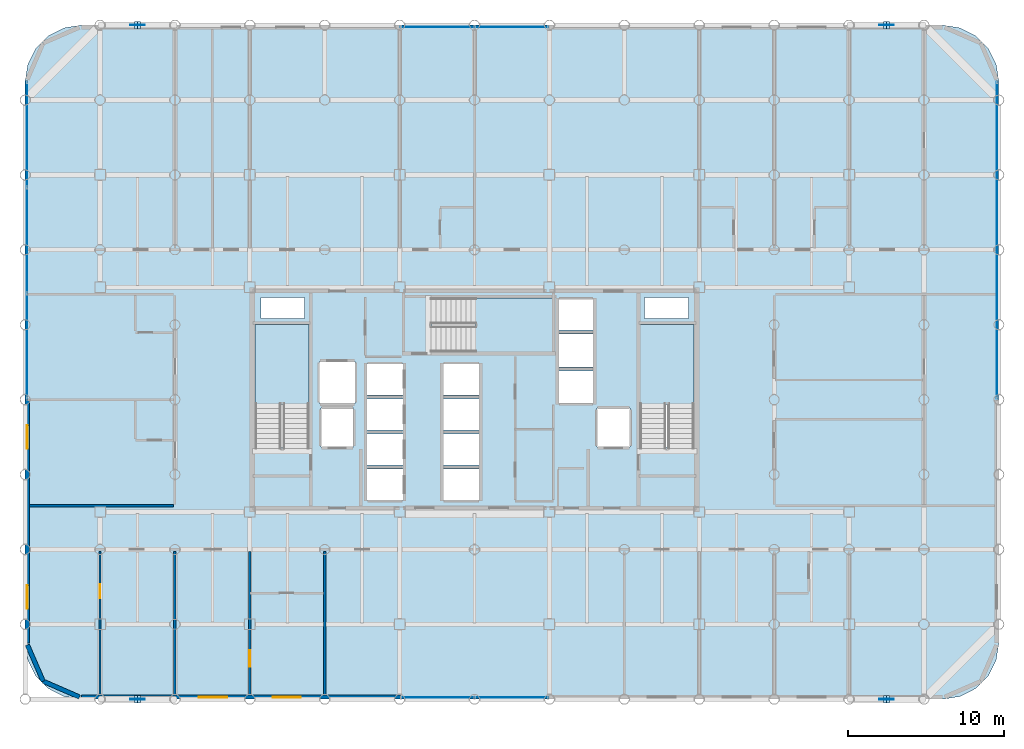
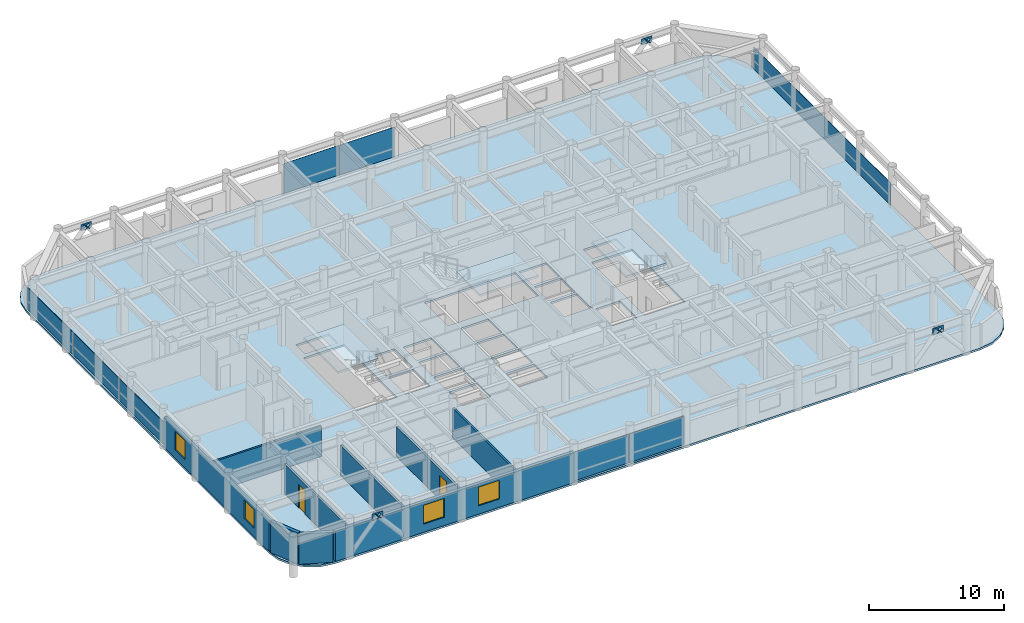
# One storey, part 15 of 20: 20 plates, 9 walls, 4 slabs, 4 windows, 2 doors, 6 openings, 7 elements without a shape of their own.
"""IFC4 building model written with IfcOpenShell, lengths in metres."""

from ifc_helpers import new_model, si_unit, direction, frame, frame_2d, origin, origin_2d, place, context, subcontext, project, spatial, polyline, rectangle, outline, extrude, material, layer, layer_set, type_object, element, fill, aggregate, save


model = new_model("IFC4")

# Units and contexts
model_context = context("Model", 3, precision=1e-05, world=origin(), true_north=direction((0.0, 1.0)))
body_context = subcontext(model_context, "Body", "Model", "MODEL_VIEW")
ifc_project = project(units=[si_unit("LENGTHUNIT", "METRE"), si_unit("AREAUNIT", "SQUARE_METRE"), si_unit("VOLUMEUNIT", "CUBIC_METRE"), si_unit("PLANEANGLEUNIT", "RADIAN"), si_unit("MASSUNIT", "GRAM", prefix="KILO")], contexts=[model_context])

# Site, building, storey
site_placement = place(None, origin())
site = spatial("IfcSite", under=ifc_project, at=site_placement, CompositionType="ELEMENT")
building_placement = place(site_placement, origin())
building = spatial("IfcBuilding", under=site, at=building_placement, Name="Kallvorn Hotel Tower", CompositionType="ELEMENT")
storey_placement = place(building_placement, frame((0.0, 0.0, 98.89990234375)))
storey = spatial("IfcBuildingStorey", under=building, at=storey_placement, Name="L23", CompositionType="ELEMENT", Elevation=98.89990234375)

# Curtain wall, plates
ifc_material_1 = material(Name="Thermally broken black-anodised aluminium AA 6063-T6", Category="aluminium")
ifc_layer_1 = layer(ifc_material_1, 0.199951171875)
ifc_layer_set_1 = layer_set([ifc_layer_1], Name="CW_SYS_3_HOTEL_LOW")
curtain_wall_type = type_object("IfcCurtainWallType", Name="CW_SYS_3_HOTEL_LOW", PredefinedType="USERDEFINED", material=ifc_layer_set_1)
curtain_wall_1_placement = place(storey_placement, origin())
curtain_wall_1 = element("IfcCurtainWall", 1, at=curtain_wall_1_placement, inside=storey, type_object=curtain_wall_type, Name="L23 Dark-Glass Curtain Wall CW-L23-SC", ObjectType="UNITISED CURTAIN WALL", PredefinedType="USERDEFINED")
ifc_material_2 = material(Name="Double-glazed low-e solar-control dark glass", Category="glass")
ifc_layer_2 = layer(ifc_material_2, 0.035888671875)
ifc_layer_set_2 = layer_set([ifc_layer_2], Name="CW_SYS_3_HOTEL_LOW_PANEL")
plate_type_1 = type_object("IfcPlateType", Name="CW_SYS_3_HOTEL_LOW_PANEL", PredefinedType="CURTAIN_PANEL", material=ifc_layer_set_2)
plate_1_placement = place(storey_placement, frame((-2.375, -19.080078125, 0.06005859375), z_axis=(0.0, 0.0, 1.0), x_axis=(1.0, 0.0, 0.0)))
plate_1 = element("IfcPlate", 2, at=plate_1_placement, type_object=plate_type_1, Name="CW-L23-SC Vision Glass Panel 00", PredefinedType="CURTAIN_PANEL", context=body_context, shape_type="SweptSolid", body=[
    extrude(rectangle(XDim=4.68994140625, YDim=0.035888671875, at=origin_2d()), origin(), (0.0, 0.0, 1.0), 2.60009765625),
])
plate_2_placement = place(storey_placement, frame((2.375, -19.080078125, 0.06005859375), z_axis=(0.0, 0.0, 1.0), x_axis=(1.0, 0.0, 0.0)))
plate_2 = element("IfcPlate", 3, at=plate_2_placement, type_object=plate_type_1, Name="CW-L23-SC Vision Glass Panel 01", PredefinedType="CURTAIN_PANEL", context=body_context, shape_type="SweptSolid", body=[
    extrude(rectangle(XDim=4.68994140625, YDim=0.035888671875, at=origin_2d()), origin(), (0.0, 0.0, 1.0), 2.60009765625),
])
aggregate(curtain_wall_1, [plate_1, plate_2])

curtain_wall_2_placement = place(storey_placement, origin())
curtain_wall_2 = element("IfcCurtainWall", 4, at=curtain_wall_2_placement, inside=storey, type_object=curtain_wall_type, Name="L23 Dark-Glass Curtain Wall CW-L23-NC", ObjectType="UNITISED CURTAIN WALL", PredefinedType="USERDEFINED")
plate_3_placement = place(storey_placement, frame((-2.375, 23.8798828125, 0.06005859375), z_axis=(0.0, 0.0, 1.0), x_axis=(1.0, 0.0, 0.0)))
plate_3 = element("IfcPlate", 5, at=plate_3_placement, type_object=plate_type_1, Name="CW-L23-NC Vision Glass Panel 00", PredefinedType="CURTAIN_PANEL", context=body_context, shape_type="SweptSolid", body=[
    extrude(rectangle(XDim=4.68994140625, YDim=0.035888671875, at=origin_2d()), origin(), (0.0, 0.0, 1.0), 2.699951171875),
])
plate_4_placement = place(storey_placement, frame((2.375, 23.8798828125, 0.06005859375), z_axis=(0.0, 0.0, 1.0), x_axis=(1.0, 0.0, 0.0)))
plate_4 = element("IfcPlate", 6, at=plate_4_placement, type_object=plate_type_1, Name="CW-L23-NC Vision Glass Panel 01", PredefinedType="CURTAIN_PANEL", context=body_context, shape_type="SweptSolid", body=[
    extrude(rectangle(XDim=4.68994140625, YDim=0.035888671875, at=origin_2d()), origin(), (0.0, 0.0, 1.0), 2.699951171875),
])
aggregate(curtain_wall_2, [plate_3, plate_4])

curtain_wall_3_placement = place(storey_placement, origin())
curtain_wall_3 = element("IfcCurtainWall", 7, at=curtain_wall_3_placement, inside=storey, type_object=curtain_wall_type, Name="L23 Dark-Glass Curtain Wall CW-L23-WN", ObjectType="UNITISED CURTAIN WALL", PredefinedType="USERDEFINED")
plate_5_placement = place(storey_placement, frame((-28.679931640625, 3.41650390625, 0.06005859375), z_axis=(0.0, 0.0, 1.0), x_axis=(0.0, 1.0, 0.0)))
plate_5 = element("IfcPlate", 8, at=plate_5_placement, type_object=plate_type_1, Name="CW-L23-WN Vision Glass Panel 00", PredefinedType="CURTAIN_PANEL", context=body_context, shape_type="SweptSolid", body=[
    extrude(rectangle(XDim=6.7333984375, YDim=0.035888671875, at=origin_2d()), origin(), (0.0, 0.0, 1.0), 2.0),
])
plate_6_placement = place(storey_placement, frame((-28.679931640625, 10.2099609375, 0.06005859375), z_axis=(0.0, 0.0, 1.0), x_axis=(0.0, 1.0, 0.0)))
plate_6 = element("IfcPlate", 9, at=plate_6_placement, type_object=plate_type_1, Name="CW-L23-WN Vision Glass Panel 01", PredefinedType="CURTAIN_PANEL", context=body_context, shape_type="SweptSolid", body=[
    extrude(rectangle(XDim=6.7333984375, YDim=0.035888671875, at=origin_2d()), origin(), (0.0, 0.0, 1.0), 2.0),
])
plate_7_placement = place(storey_placement, frame((-28.679931640625, 17.00341796875, 0.06005859375), z_axis=(0.0, 0.0, 1.0), x_axis=(0.0, 1.0, 0.0)))
plate_7 = element("IfcPlate", 10, at=plate_7_placement, type_object=plate_type_1, Name="CW-L23-WN Vision Glass Panel 02", PredefinedType="CURTAIN_PANEL", context=body_context, shape_type="SweptSolid", body=[
    extrude(rectangle(XDim=6.7333984375, YDim=0.035888671875, at=origin_2d()), origin(), (0.0, 0.0, 1.0), 2.0),
])
aggregate(curtain_wall_3, [plate_5, plate_6, plate_7])

# Curtain wall, plate
curtain_wall_4_placement = place(storey_placement, origin())
curtain_wall_4 = element("IfcCurtainWall", 11, at=curtain_wall_4_placement, inside=storey, type_object=curtain_wall_type, Name="L23 Dark-Glass Curtain Wall CW-L23-EN", ObjectType="UNITISED CURTAIN WALL", PredefinedType="USERDEFINED")
plate_8_placement = place(storey_placement, frame((33.47998046875, 10.2099609375, 0.06005859375), z_axis=(0.0, 0.0, 1.0), x_axis=(0.0, 1.0, 0.0)))
plate_8 = element("IfcPlate", 12, at=plate_8_placement, type_object=plate_type_1, Name="CW-L23-EN Vision Glass Panel 00", PredefinedType="CURTAIN_PANEL", context=body_context, shape_type="SweptSolid", body=[
    extrude(rectangle(XDim=20.320068359375, YDim=0.035888671875, at=origin_2d()), origin(), (0.0, 0.0, 1.0), 2.0),
])
aggregate(curtain_wall_4, [plate_8])

# Plates
ifc_material_3 = material(Name="Structural steel S355JR", Category="steel")
ifc_layer_3 = layer(ifc_material_3, 0.030029296875)
ifc_layer_set_3 = layer_set([ifc_layer_3], Name="PLT_CAP_30")
plate_type_2 = type_object("IfcPlateType", Name="PLT_CAP_30", PredefinedType="SHEET", material=ifc_layer_set_3)
for number, where, z_axis, x_axis, name in (
    (13, (-21.409423828125, -19.443115234375, 2.808837890625), (0.653515319717, 0.0, 0.756913288888), (0.0, 1.0, 0.0), "EXO-L23-S1A End Cap Plate B"),
    (14, (-21.79052734375, -18.956787109375, 2.808837890625), (-0.653515319717, 0.0, 0.756913288888), (0.0, -1.0, 0.0), "EXO-L23-S1B End Cap Plate B"),
    (15, (26.590576171875, -19.443115234375, 2.808837890625), (0.653515319717, 0.0, 0.756913288888), (0.0, 1.0, 0.0), "EXO-L23-S2A End Cap Plate B"),
    (16, (26.20947265625, -18.956787109375, 2.808837890625), (-0.653515319717, 0.0, 0.756913288888), (0.0, -1.0, 0.0), "EXO-L23-S2B End Cap Plate B"),
    (17, (-21.409423828125, 23.7568359375, 2.808837890625), (0.653515319717, 0.0, 0.756913288888), (0.0, 1.0, 0.0), "EXO-L23-N1A End Cap Plate B"),
    (18, (-21.79052734375, 24.2431640625, 2.808837890625), (-0.653515319717, 0.0, 0.756913288888), (0.0, -1.0, 0.0), "EXO-L23-N1B End Cap Plate B"),
    (19, (26.590576171875, 23.7568359375, 2.808837890625), (0.653515319717, 0.0, 0.756913288888), (0.0, 1.0, 0.0), "EXO-L23-N2A End Cap Plate B"),
    (20, (26.20947265625, 24.2431640625, 2.808837890625), (-0.653515319717, 0.0, 0.756913288888), (0.0, -1.0, 0.0), "EXO-L23-N2B End Cap Plate B"),
):
    element("IfcPlate", number, at=place(storey_placement, frame(where, z_axis=z_axis, x_axis=x_axis)), inside=storey, type_object=plate_type_2, Name=name, PredefinedType="SHEET", context=body_context, shape_type="SweptSolid", body=[
        extrude(outline(polyline([(0.0, 0.0), (0.486328125, 0.0), (0.486328125, 0.4864019008580509), (0.0, 0.4864019008580509), (0.0, 0.0)])), origin(), (0.0, 0.0, -1.0), 0.030029296875),
    ])
ifc_material_4 = material(Name="Structural steel S355JR", Category="steel")
ifc_layer_4 = layer(ifc_material_4, 0.044921875)
ifc_layer_set_4 = layer_set([ifc_layer_4], Name="PLT_GUSSET_45")
plate_type_3 = type_object("IfcPlateType", Name="PLT_GUSSET_45", PredefinedType="USERDEFINED", material=ifc_layer_set_4)
for number, where, z_axis, x_axis, name in (
    (21, (-21.60009765625, -19.199951171875, 2.64013671875), (0.0, 0.0, 1.0), (1.0, 0.0, 0.0), "L23 Exoskeleton Node Gusset S1"),
    (22, (26.39990234375, -19.199951171875, 2.64013671875), (0.0, 0.0, 1.0), (1.0, 0.0, 0.0), "L23 Exoskeleton Node Gusset S2"),
    (23, (-21.60009765625, 24.0, 2.64013671875), (0.0, 0.0, 1.0), (1.0, 0.0, 0.0), "L23 Exoskeleton Node Gusset N1"),
    (24, (26.39990234375, 24.0, 2.64013671875), (0.0, 0.0, 1.0), (1.0, 0.0, 0.0), "L23 Exoskeleton Node Gusset N2"),
):
    element("IfcPlate", number, at=place(storey_placement, frame(where, z_axis=z_axis, x_axis=x_axis)), inside=storey, type_object=plate_type_3, Name=name, ObjectType="GUSSET PLATE", PredefinedType="USERDEFINED", context=body_context, shape_type="SweptSolid", body=[
        extrude(rectangle(XDim=0.89990234375, YDim=0.044921875, at=origin_2d()), origin(), (0.0, 0.0, 1.0), 0.56005859375),
    ])

# Stair, slab
ifc_material_5 = material(Name="Precast concrete C40/50", Category="concrete")
stair_type = type_object("IfcStairType", Name="STR_CORE_DOGLEG", PredefinedType="HALF_TURN_STAIR", material=ifc_material_5)
stair_1_placement = place(storey_placement, origin())
stair_1 = element("IfcStair", 25, at=stair_1_placement, inside=storey, type_object=stair_type, Name="L23 Exit stair ST1", PredefinedType="HALF_TURN_STAIR")
ifc_material_6 = material(Name="Precast concrete C40/50", Category="concrete")
ifc_layer_5 = layer(ifc_material_6, 0.179931640625)
ifc_layer_set_5 = layer_set([ifc_layer_5], Name="SLB_LANDING_180")
slab_type_1 = type_object("IfcSlabType", Name="SLB_LANDING_180", PredefinedType="LANDING", material=ifc_layer_set_5)
slab_1_placement = place(storey_placement, frame((0.0, 0.0, 1.650146484375)))
slab_1 = element("IfcSlab", 26, at=slab_1_placement, type_object=slab_type_1, Name="ST1 landing 1", PredefinedType="LANDING", context=body_context, shape_type="SweptSolid", body=[
    extrude(outline(polyline([(-10.60009765625, -0.31005859375), (-10.60009765625, 4.800048828125), (-14.06005859375, 4.800048828125), (-14.06005859375, -0.31005859375), (-10.60009765625, -0.31005859375)])), origin(), (0.0, 0.0, 1.0), 0.199951171875),
])
aggregate(stair_1, [slab_1])

stair_2_placement = place(storey_placement, origin())
stair_2 = element("IfcStair", 27, at=stair_2_placement, inside=storey, type_object=stair_type, Name="L23 Exit stair ST2", PredefinedType="HALF_TURN_STAIR")
slab_2_placement = place(storey_placement, frame((0.0, 0.0, 1.650146484375)))
slab_2 = element("IfcSlab", 28, at=slab_2_placement, type_object=slab_type_1, Name="ST2 landing 1", PredefinedType="LANDING", context=body_context, shape_type="SweptSolid", body=[
    extrude(outline(polyline([(14.06005859375, -0.31005859375), (14.06005859375, 4.800048828125), (10.60009765625, 4.800048828125), (10.60009765625, -0.31005859375), (14.06005859375, -0.31005859375)])), origin(), (0.0, 0.0, 1.0), 0.199951171875),
])
aggregate(stair_2, [slab_2])

stair_3_placement = place(storey_placement, origin())
stair_3 = element("IfcStair", 29, at=stair_3_placement, inside=storey, type_object=stair_type, Name="L23 Exit stair ST3", PredefinedType="HALF_TURN_STAIR")
slab_3_placement = place(storey_placement, frame((0.0, 0.0, 1.650146484375)))
slab_3 = element("IfcSlab", 30, at=slab_3_placement, type_object=slab_type_1, Name="ST3 landing 1", PredefinedType="LANDING", context=body_context, shape_type="SweptSolid", body=[
    extrude(outline(polyline([(0.0400390625, 3.050048828125), (5.050048828125, 3.050048828125), (5.050048828125, 6.510009765625), (0.0400390625, 6.510009765625), (0.0400390625, 3.050048828125)])), origin(), (0.0, 0.0, 1.0), 0.199951171875),
])
aggregate(stair_3, [slab_3])

# Slab
ifc_material_7 = material(Name="Concrete C40/50", Category="concrete")
ifc_layer_6 = layer(ifc_material_7, 0.179931640625)
ifc_layer_set_6 = layer_set([ifc_layer_6], Name="SLB_TOWER_180")
slab_type_2 = type_object("IfcSlabType", Name="SLB_TOWER_180", PredefinedType="FLOOR", material=ifc_layer_set_6)
slab_4_placement = place(storey_placement, frame((0.0, 0.0, -0.179931640625)))
element("IfcSlab", 31, at=slab_4_placement, inside=storey, type_object=slab_type_2, Name="L23 Structural Floor Slab", PredefinedType="FLOOR", context=body_context, shape_type="SweptSolid", body=[
    extrude(outline(polyline([(30.0, -19.199951171875), (31.112548828125, -19.023681640625), (32.115966796875, -18.512451171875), (32.91259765625, -17.716064453125), (33.423828125, -16.71240234375), (33.60009765625, -15.60009765625), (33.60009765625, 20.39990234375), (33.423828125, 21.512451171875), (32.91259765625, 22.51611328125), (32.115966796875, 23.3125), (31.112548828125, 23.82373046875), (30.0, 24.0), (-25.199951171875, 24.0), (-26.3125, 23.82373046875), (-27.31591796875, 23.3125), (-28.112548828125, 22.51611328125), (-28.623779296875, 21.512451171875), (-28.800048828125, 20.39990234375), (-28.800048828125, -15.60009765625), (-28.623779296875, -16.71240234375), (-28.112548828125, -17.716064453125), (-27.31591796875, -18.512451171875), (-26.3125, -19.023681640625), (-25.199951171875, -19.199951171875), (30.0, -19.199951171875)]), holes=[polyline([(-10.60009765625, -3.070068359375), (-10.60009765625, 4.800048828125), (-14.06005859375, 4.800048828125), (-14.06005859375, -3.070068359375), (-10.60009765625, -3.070068359375)]), polyline([(14.06005859375, -3.070068359375), (14.06005859375, 4.800048828125), (10.60009765625, 4.800048828125), (10.60009765625, -3.070068359375), (14.06005859375, -3.070068359375)]), polyline([(-2.719970703125, 3.050048828125), (5.050048828125, 3.050048828125), (5.050048828125, 6.510009765625), (-2.719970703125, 6.510009765625), (-2.719970703125, 3.050048828125)]), polyline([(-6.949951171875, -6.449951171875), (-4.550048828125, -6.449951171875), (-4.550048828125, -4.449951171875), (-6.949951171875, -4.449951171875), (-6.949951171875, -6.449951171875)]), polyline([(-6.949951171875, -4.199951171875), (-4.550048828125, -4.199951171875), (-4.550048828125, -2.199951171875), (-6.949951171875, -2.199951171875), (-6.949951171875, -4.199951171875)]), polyline([(-6.949951171875, -1.949951171875), (-4.550048828125, -1.949951171875), (-4.550048828125, 0.050048828125), (-6.949951171875, 0.050048828125), (-6.949951171875, -1.949951171875)]), polyline([(-6.949951171875, 0.300048828125), (-4.550048828125, 0.300048828125), (-4.550048828125, 2.300048828125), (-6.949951171875, 2.300048828125), (-6.949951171875, 0.300048828125)]), polyline([(-2.050048828125, -6.449951171875), (0.35009765625, -6.449951171875), (0.35009765625, -4.449951171875), (-2.050048828125, -4.449951171875), (-2.050048828125, -6.449951171875)]), polyline([(-2.050048828125, -4.199951171875), (0.35009765625, -4.199951171875), (0.35009765625, -2.199951171875), (-2.050048828125, -2.199951171875), (-2.050048828125, -4.199951171875)]), polyline([(-2.050048828125, -1.949951171875), (0.35009765625, -1.949951171875), (0.35009765625, 0.050048828125), (-2.050048828125, 0.050048828125), (-2.050048828125, -1.949951171875)]), polyline([(-2.050048828125, 0.300048828125), (0.35009765625, 0.300048828125), (0.35009765625, 2.300048828125), (-2.050048828125, 2.300048828125), (-2.050048828125, 0.300048828125)]), polyline([(5.35009765625, -0.25), (7.64990234375, -0.25), (7.64990234375, 1.85009765625), (5.35009765625, 1.85009765625), (5.35009765625, -0.25)]), polyline([(5.35009765625, 2.10009765625), (7.64990234375, 2.10009765625), (7.64990234375, 4.199951171875), (5.35009765625, 4.199951171875), (5.35009765625, 2.10009765625)]), polyline([(5.35009765625, 4.449951171875), (7.64990234375, 4.449951171875), (7.64990234375, 6.449951171875), (5.35009765625, 6.449951171875), (5.35009765625, 4.449951171875)]), polyline([(-9.85009765625, -3.050048828125), (-7.75, -3.050048828125), (-7.75, -0.550048828125), (-9.85009765625, -0.550048828125), (-9.85009765625, -3.050048828125)]), polyline([(7.85009765625, -3.050048828125), (9.949951171875, -3.050048828125), (9.949951171875, -0.550048828125), (7.85009765625, -0.550048828125), (7.85009765625, -3.050048828125)]), polyline([(-9.949951171875, -0.25), (-7.64990234375, -0.25), (-7.64990234375, 2.449951171875), (-9.949951171875, 2.449951171875), (-9.949951171875, -0.25)]), polyline([(-13.699951171875, 5.199951171875), (-10.89990234375, 5.199951171875), (-10.89990234375, 6.550048828125), (-13.699951171875, 6.550048828125), (-13.699951171875, 5.199951171875)]), polyline([(10.89990234375, 5.199951171875), (13.699951171875, 5.199951171875), (13.699951171875, 6.550048828125), (10.89990234375, 6.550048828125), (10.89990234375, 5.199951171875)])]), origin(), (0.0, 0.0, 1.0), 0.179931640625),
])

# Walls
ifc_material_8 = material(Name="Fire-rated double-layer acoustic gypsum drywall EI 60")
ifc_layer_7 = layer(ifc_material_8, 0.159912109375)
ifc_layer_set_7 = layer_set([ifc_layer_7], Name="WL_DEMISE_160")
wall_type_1 = type_object("IfcWallType", Name="WL_DEMISE_160", PredefinedType="PARTITIONING", material=ifc_layer_set_7)
wall_1_placement = place(storey_placement, frame((-28.510009765625, -6.800048828125, 0.0), z_axis=(0.0, 0.0, 1.0), x_axis=(1.0, 0.0, 0.0)))
element("IfcWall", 32, at=wall_1_placement, inside=storey, type_object=wall_type_1, Name="L23 Suite 2301 W Loggia King Room Partition", PredefinedType="PARTITIONING", context=body_context, shape_type="SweptSolid", body=[
    extrude(rectangle(XDim=9.22998046875, YDim=0.159912109375, at=frame_2d((4.614990234375, 0.0))), origin(), (0.0, 0.0, 1.0), 2.72021484375),
])
wall_2_placement = place(storey_placement, frame((-19.199951171875, -18.909912109375, 0.0), z_axis=(0.0, 0.0, 1.0), x_axis=(0.0, 1.0, 0.0)))
element("IfcWall", 33, at=wall_2_placement, inside=storey, type_object=wall_type_1, Name="L23 Suite 2303 Executive Living Salon Partition", PredefinedType="PARTITIONING", context=body_context, shape_type="SweptSolid", body=[
    extrude(rectangle(XDim=9.18994140625, YDim=0.159912109375, at=frame_2d((4.594970703125, 0.0))), origin(), (0.0, 0.0, 1.0), 2.72021484375),
])

# Wall, opening, door
wall_3_placement = place(storey_placement, frame((-14.39990234375, -18.909912109375, 0.0), z_axis=(0.0, 0.0, 1.0), x_axis=(0.0, 1.0, 0.0)))
wall_3 = element("IfcWall", 34, at=wall_3_placement, inside=storey, type_object=wall_type_1, Name="L23 Suite 2303 Executive Bedroom Partition", PredefinedType="PARTITIONING", context=body_context, shape_type="SweptSolid", body=[
    extrude(rectangle(XDim=9.18994140625, YDim=0.159912109375, at=frame_2d((4.594970703125, 0.0))), origin(), (0.0, 0.0, 1.0), 2.72021484375),
])
opening_1_placement = place(wall_3_placement, frame((1.79296875, 0.0, 0.0)))
opening_1 = element("IfcOpeningElement", 35, at=opening_1_placement, cuts=wall_3, Name="Opening GD2", PredefinedType="OPENING", context=body_context, shape_type="SweptSolid", body=[
    extrude(rectangle(XDim=1.050048828125, YDim=2.199951171875, at=frame_2d((0.52490234375, 1.10009765625))), frame((0.0, 0.094970703125, 0.0), z_axis=(0.0, -1.0, 0.0), x_axis=(1.0, 0.0, 0.0)), (0.0, 0.0, 1.0), 0.18994140625),
])
ifc_material_9 = material(Name="Solid-core walnut veneer fire-rated timber door leaf", Category="wood")
door_type_1 = type_object("IfcDoorType", Name="DR_SUITE_1050x2200", OperationType="NOTDEFINED", PredefinedType="DOOR", material=ifc_material_9)
door_1_placement = place(opening_1_placement, origin())
door_1 = element("IfcDoor", 36, at=door_1_placement, inside=storey, type_object=door_type_1, Name="L23 Suite 2303 Executive Bedroom Door", OperationType="SINGLE_SWING_LEFT", OverallHeight=2.199951171875, OverallWidth=1.050048828125, PredefinedType="DOOR", context=body_context, shape_type="SweptSolid", body=[
    extrude(rectangle(XDim=1.050048828125, YDim=2.199951171875, at=frame_2d((0.52490234375, 1.10009765625))), frame((0.0, 0.02490234375, 0.0), z_axis=(0.0, -1.0, 0.0), x_axis=(1.0, 0.0, 0.0)), (0.0, 0.0, 1.0), 0.050048828125),
])
fill(opening_1, door_1)

# Walls
wall_4_placement = place(storey_placement, frame((-9.60009765625, -18.909912109375, 0.0), z_axis=(0.0, 0.0, 1.0), x_axis=(0.0, 1.0, 0.0)))
element("IfcWall", 37, at=wall_4_placement, inside=storey, type_object=wall_type_1, Name="L23 Suite 2303 Executive Bedroom Partition", PredefinedType="PARTITIONING", context=body_context, shape_type="SweptSolid", body=[
    extrude(rectangle(XDim=9.18994140625, YDim=0.159912109375, at=frame_2d((4.594970703125, 0.0))), origin(), (0.0, 0.0, 1.0), 2.72021484375),
])
ifc_material_10 = material(Name="Precast basalt-clad insulated concrete wall C40/50", Category="masonry")
ifc_layer_8 = layer(ifc_material_10, 0.280029296875)
ifc_layer_set_8 = layer_set([ifc_layer_8], Name="WL_EXT_LOGGIA_280")
wall_type_2 = type_object("IfcWallType", Name="WL_EXT_LOGGIA_280", PredefinedType="SOLIDWALL", material=ifc_layer_set_8)
wall_5_placement = place(storey_placement, frame((-28.657958984375, -15.720703125, 0.0), z_axis=(0.0, 0.0, 1.0), x_axis=(0.398792985289, -0.917040977756, 0.0)))
element("IfcWall", 38, at=wall_5_placement, inside=storey, type_object=wall_type_2, Name="L23 Rounded Corner Exterior Wall SW1", PredefinedType="SOLIDWALL", context=body_context, shape_type="SweptSolid", body=[
    extrude(rectangle(XDim=2.536376953125, YDim=0.280029296875, at=frame_2d((1.26806640625, 0.0))), origin(), (0.0, 0.0, 1.0), 2.820068359375),
])
wall_6_placement = place(storey_placement, frame((-27.646484375, -18.046630859375, 0.0), z_axis=(0.0, 0.0, 1.0), x_axis=(0.917060872934, -0.398747232384, 0.0)))
element("IfcWall", 39, at=wall_6_placement, inside=storey, type_object=wall_type_2, Name="L23 Rounded Corner Exterior Wall SW2", PredefinedType="SOLIDWALL", context=body_context, shape_type="SweptSolid", body=[
    extrude(rectangle(XDim=2.5361328125, YDim=0.280029296875, at=frame_2d((1.26806640625, 0.0))), origin(), (0.0, 0.0, 1.0), 2.72021484375),
])

# Wall, openings, windows
wall_7_placement = place(storey_placement, frame((-25.199951171875, -19.06005859375, 0.0), z_axis=(0.0, 0.0, 1.0), x_axis=(1.0, 0.0, 0.0)))
wall_7 = element("IfcWall", 40, at=wall_7_placement, inside=storey, type_object=wall_type_2, Name="L23 Exterior Envelope Wall EW-L23-SW", PredefinedType="SOLIDWALL", context=body_context, shape_type="SweptSolid", body=[
    extrude(rectangle(XDim=20.449951171875, YDim=0.280029296875, at=frame_2d((10.22509765625, 0.0))), origin(), (0.0, 0.0, 1.0), 2.72021484375),
])
opening_2_placement = place(wall_7_placement, frame((7.5400390625, 0.0, 0.75)))
opening_2 = element("IfcOpeningElement", 41, at=opening_2_placement, cuts=wall_7, Name="Opening W04", PredefinedType="OPENING", context=body_context, shape_type="SweptSolid", body=[
    extrude(rectangle(XDim=1.800048828125, YDim=1.699951171875, at=frame_2d((0.89990234375, 0.85009765625))), frame((0.0, 0.155029296875, 0.0), z_axis=(0.0, -1.0, 0.0), x_axis=(1.0, 0.0, 0.0)), (0.0, 0.0, 1.0), 0.31005859375),
])
opening_3_placement = place(wall_7_placement, frame((12.260009765625, 0.0, 0.75)))
opening_3 = element("IfcOpeningElement", 42, at=opening_3_placement, cuts=wall_7, Name="Opening W04", PredefinedType="OPENING", context=body_context, shape_type="SweptSolid", body=[
    extrude(rectangle(XDim=1.800048828125, YDim=1.699951171875, at=frame_2d((0.89990234375, 0.85009765625))), frame((0.0, 0.155029296875, 0.0), z_axis=(0.0, -1.0, 0.0), x_axis=(1.0, 0.0, 0.0)), (0.0, 0.0, 1.0), 0.31005859375),
])
ifc_material_11 = material(Name="Double-glazed low-e solar-control dark glass", Category="glass")
window_type_1 = type_object("IfcWindowType", Name="WN_HTL_1800x1700", PartitioningType="SINGLE_PANEL", PredefinedType="WINDOW", material=ifc_material_11)
window_1_placement = place(opening_2_placement, origin())
window_1 = element("IfcWindow", 43, at=window_1_placement, inside=storey, type_object=window_type_1, Name="L23 Guestroom Exterior Window 04", OverallHeight=1.699951171875, OverallWidth=1.800048828125, PartitioningType="SINGLE_PANEL", PredefinedType="WINDOW", context=body_context, shape_type="SweptSolid", body=[
    extrude(rectangle(XDim=1.800048828125, YDim=1.699951171875, at=frame_2d((0.89990234375, 0.85009765625))), frame((0.0, 0.030029296875, 0.0), z_axis=(0.0, -1.0, 0.0), x_axis=(1.0, 0.0, 0.0)), (0.0, 0.0, 1.0), 0.06005859375),
])
fill(opening_2, window_1)
window_2_placement = place(opening_3_placement, origin())
window_2 = element("IfcWindow", 44, at=window_2_placement, inside=storey, type_object=window_type_1, Name="L23 Guestroom Exterior Window 05", OverallHeight=1.699951171875, OverallWidth=1.800048828125, PartitioningType="SINGLE_PANEL", PredefinedType="WINDOW", context=body_context, shape_type="SweptSolid", body=[
    extrude(rectangle(XDim=1.800048828125, YDim=1.699951171875, at=frame_2d((0.89990234375, 0.85009765625))), frame((0.0, 0.030029296875, 0.0), z_axis=(0.0, -1.0, 0.0), x_axis=(1.0, 0.0, 0.0)), (0.0, 0.0, 1.0), 0.06005859375),
])
fill(opening_3, window_2)

wall_8_placement = place(storey_placement, frame((-28.659912109375, -15.60009765625, 0.0), z_axis=(0.0, 0.0, 1.0), x_axis=(0.0, 1.0, 0.0)))
wall_8 = element("IfcWall", 45, at=wall_8_placement, inside=storey, type_object=wall_type_2, Name="L23 Exterior Envelope Wall EW-L23-WS", PredefinedType="SOLIDWALL", context=body_context, shape_type="SweptSolid", body=[
    extrude(rectangle(XDim=15.580078125, YDim=0.280029296875, at=frame_2d((7.7900390625, 0.0))), origin(), (0.0, 0.0, 1.0), 2.72021484375),
])
opening_4_placement = place(wall_8_placement, frame((2.18994140625, 0.0, 0.75)))
opening_4 = element("IfcOpeningElement", 46, at=opening_4_placement, cuts=wall_8, Name="Opening W05", PredefinedType="OPENING", context=body_context, shape_type="SweptSolid", body=[
    extrude(rectangle(XDim=1.5, YDim=1.699951171875, at=frame_2d((0.75, 0.85009765625))), frame((0.0, 0.155029296875, 0.0), z_axis=(0.0, -1.0, 0.0), x_axis=(1.0, 0.0, 0.0)), (0.0, 0.0, 1.0), 0.31005859375),
])
opening_5_placement = place(wall_8_placement, frame((12.449951171875, 0.0, 0.75)))
opening_5 = element("IfcOpeningElement", 47, at=opening_5_placement, cuts=wall_8, Name="Opening W05", PredefinedType="OPENING", context=body_context, shape_type="SweptSolid", body=[
    extrude(rectangle(XDim=1.5, YDim=1.699951171875, at=frame_2d((0.75, 0.85009765625))), frame((0.0, 0.155029296875, 0.0), z_axis=(0.0, -1.0, 0.0), x_axis=(1.0, 0.0, 0.0)), (0.0, 0.0, 1.0), 0.31005859375),
])
ifc_material_12 = material(Name="Double-glazed low-e solar-control dark glass", Category="glass")
window_type_2 = type_object("IfcWindowType", Name="WN_HTL_1500x1700", PartitioningType="SINGLE_PANEL", PredefinedType="WINDOW", material=ifc_material_12)
window_3_placement = place(opening_4_placement, origin())
window_3 = element("IfcWindow", 48, at=window_3_placement, inside=storey, type_object=window_type_2, Name="L23 Flank Wing Window 01", OverallHeight=1.699951171875, OverallWidth=1.5, PartitioningType="SINGLE_PANEL", PredefinedType="WINDOW", context=body_context, shape_type="SweptSolid", body=[
    extrude(rectangle(XDim=1.5, YDim=1.699951171875, at=frame_2d((0.75, 0.85009765625))), frame((0.0, 0.030029296875, 0.0), z_axis=(0.0, -1.0, 0.0), x_axis=(1.0, 0.0, 0.0)), (0.0, 0.0, 1.0), 0.06005859375),
])
fill(opening_4, window_3)
window_4_placement = place(opening_5_placement, origin())
window_4 = element("IfcWindow", 49, at=window_4_placement, inside=storey, type_object=window_type_2, Name="L23 Flank Wing Window 03", OverallHeight=1.699951171875, OverallWidth=1.5, PartitioningType="SINGLE_PANEL", PredefinedType="WINDOW", context=body_context, shape_type="SweptSolid", body=[
    extrude(rectangle(XDim=1.5, YDim=1.699951171875, at=frame_2d((0.75, 0.85009765625))), frame((0.0, 0.030029296875, 0.0), z_axis=(0.0, -1.0, 0.0), x_axis=(1.0, 0.0, 0.0)), (0.0, 0.0, 1.0), 0.06005859375),
])
fill(opening_5, window_4)

# Wall, opening, door
ifc_material_13 = material(Name="Fire-rated double-layer acoustic gypsum drywall EI 60")
ifc_layer_9 = layer(ifc_material_13, 0.14990234375)
ifc_layer_set_9 = layer_set([ifc_layer_9], Name="WL_PART_150")
wall_type_3 = type_object("IfcWallType", Name="WL_PART_150", PredefinedType="PARTITIONING", material=ifc_layer_set_9)
wall_9_placement = place(storey_placement, frame((-24.0, -18.909912109375, 0.0), z_axis=(0.0, 0.0, 1.0), x_axis=(0.0, 1.0, 0.0)))
wall_9 = element("IfcWall", 50, at=wall_9_placement, inside=storey, type_object=wall_type_3, Name="L23 L23 South-West Botanical Bar A Partition", PredefinedType="PARTITIONING", context=body_context, shape_type="SweptSolid", body=[
    extrude(rectangle(XDim=9.18994140625, YDim=0.14990234375, at=frame_2d((4.594970703125, 0.0))), origin(), (0.0, 0.0, 1.0), 2.72021484375),
])
opening_6_placement = place(wall_9_placement, frame((6.18212890625, 0.0, 0.0)))
opening_6 = element("IfcOpeningElement", 51, at=opening_6_placement, cuts=wall_9, Name="Opening SVD1", PredefinedType="OPENING", context=body_context, shape_type="SweptSolid", body=[
    extrude(rectangle(XDim=0.89990234375, YDim=2.10009765625, at=frame_2d((0.449951171875, 1.050048828125))), frame((0.0, 0.08984375, 0.0), z_axis=(0.0, -1.0, 0.0), x_axis=(1.0, 0.0, 0.0)), (0.0, 0.0, 1.0), 0.179931640625),
])
ifc_material_14 = material(Name="Galvanised painted steel fire-rated door assembly", Category="steel")
door_type_2 = type_object("IfcDoorType", Name="DR_SERV_900x2100", OperationType="NOTDEFINED", PredefinedType="DOOR", material=ifc_material_14)
door_2_placement = place(opening_6_placement, origin())
door_2 = element("IfcDoor", 52, at=door_2_placement, inside=storey, type_object=door_type_2, Name="L23 L23 South-West Botanical Bar A Door", OperationType="SINGLE_SWING_RIGHT", OverallHeight=2.10009765625, OverallWidth=0.89990234375, PredefinedType="DOOR", context=body_context, shape_type="SweptSolid", body=[
    extrude(rectangle(XDim=0.89990234375, YDim=2.10009765625, at=frame_2d((0.449951171875, 1.050048828125))), frame((0.0, 0.02490234375, 0.0), z_axis=(0.0, -1.0, 0.0), x_axis=(1.0, 0.0, 0.0)), (0.0, 0.0, 1.0), 0.050048828125),
])
fill(opening_6, door_2)

save(model, "model.ifc")
